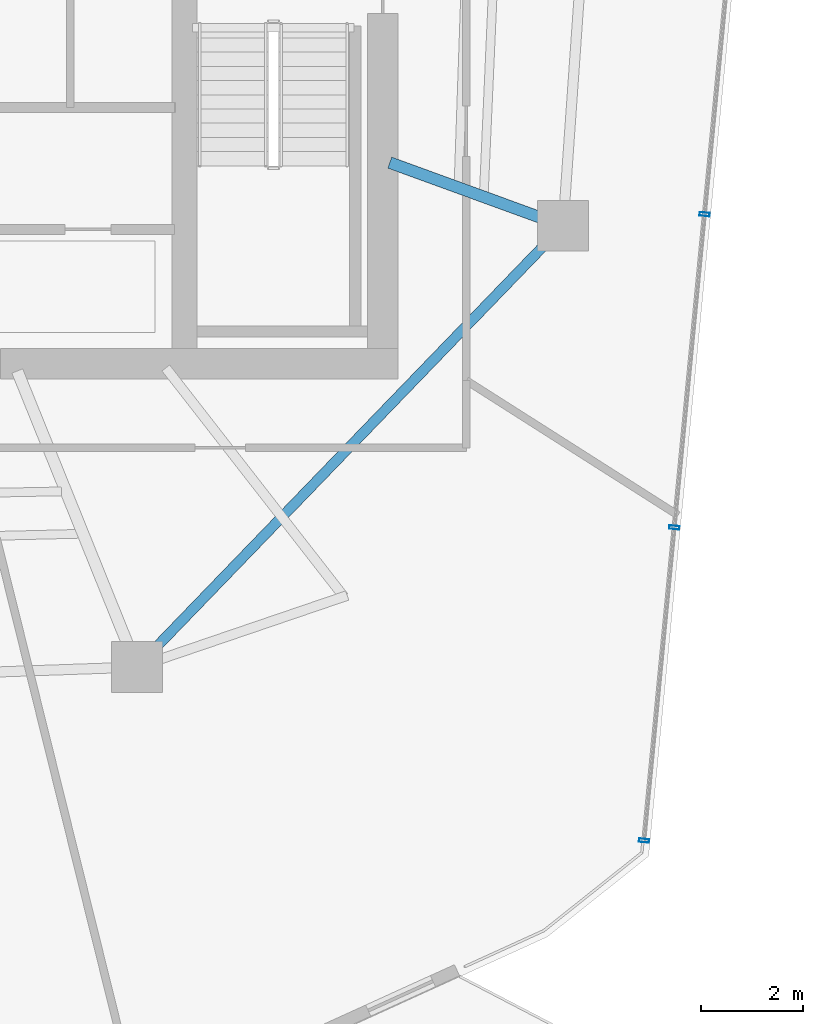
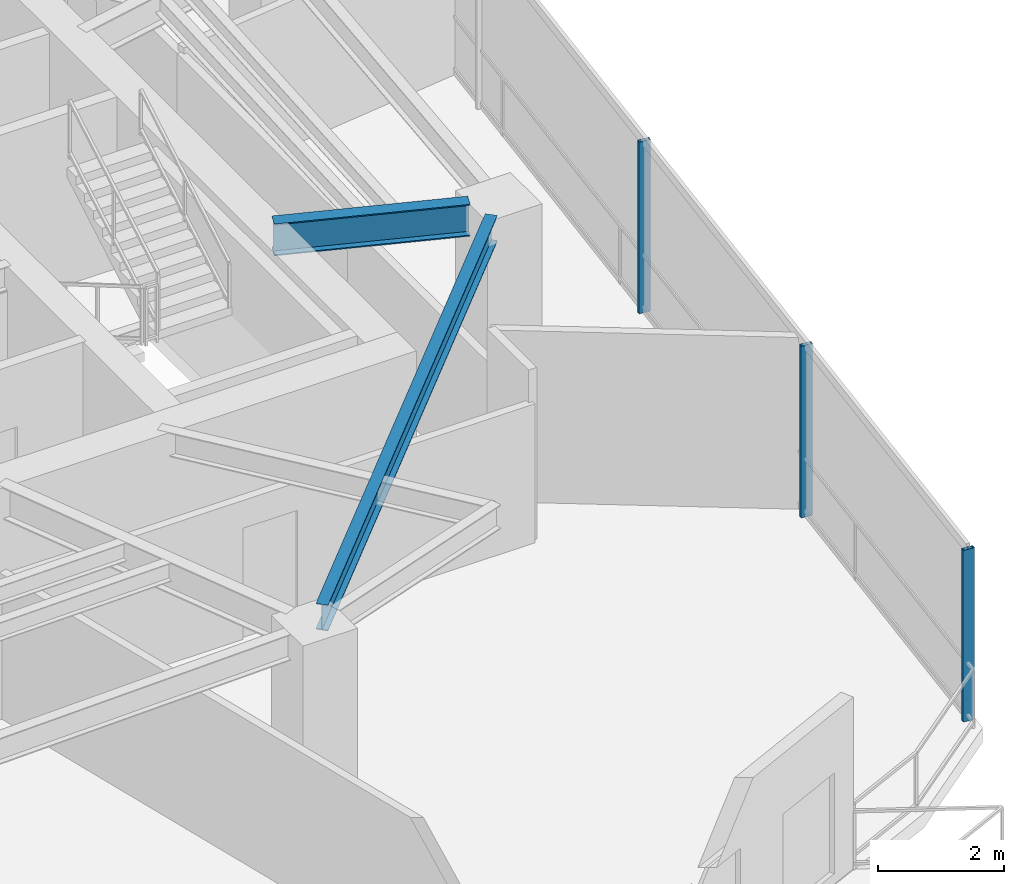
# One storey, part 9 of 21: 3 members, 2 beams, 1 element without a shape of its own.
"""IFC4 building model written with IfcOpenShell, lengths in metres."""

from ifc_helpers import new_model, si_unit, direction, frame, origin, origin_2d, place, context, subcontext, project, spatial, hollow_rectangle, i_section, extrude, material, layer, layer_set, material_profile, profile_set, type_object, element, aggregate, save


model = new_model("IFC4")

# Units and contexts
model_context = context("Model", 3, precision=1e-05, world=origin(), true_north=direction((0.0, 1.0)))
body_context = subcontext(model_context, "Body", "Model", "MODEL_VIEW")
ifc_project = project(units=[si_unit("LENGTHUNIT", "METRE"), si_unit("AREAUNIT", "SQUARE_METRE"), si_unit("VOLUMEUNIT", "CUBIC_METRE"), si_unit("PLANEANGLEUNIT", "RADIAN"), si_unit("MASSUNIT", "GRAM", prefix="KILO")], contexts=[model_context])

# Site, building, storey
site_placement = place(None, origin())
site = spatial("IfcSite", under=ifc_project, at=site_placement, CompositionType="ELEMENT")
building_placement = place(site_placement, origin())
building = spatial("IfcBuilding", under=site, at=building_placement, Name="Qarnah Convention Tower", CompositionType="ELEMENT")
storey_placement = place(building_placement, frame((0.0, 0.0, 158.10009765625)))
storey = spatial("IfcBuildingStorey", under=building, at=storey_placement, Name="L42", CompositionType="ELEMENT", Elevation=158.10009765625)

# Beams
ifc_material_1 = material(Name="Structural steel S355JR", Category="steel")
ifc_material_profile_1 = material_profile(ifc_material_1, i_section(OverallWidth=0.22998046875, OverallDepth=0.617919921875, WebThickness=0.012939453125, FlangeThickness=0.02197265625, at=origin_2d()), Name="W610X140")
ifc_profile_set_1 = profile_set([ifc_material_profile_1], Name="Structural steel S355JR")
beam_type_1 = type_object("IfcBeamType", Name="BM-RAD-W610A", PredefinedType="BEAM", material=ifc_profile_set_1)
beam_1_placement = place(storey_placement, frame((47.740966796875, 22.56396484375, 3.010986328125), z_axis=(0.939610124669, -0.342246714549, 0.0), x_axis=(0.342246714549, 0.939610124669, 0.0)))
element("IfcBeam", 1, at=beam_1_placement, inside=storey, type_object=beam_type_1, Name="L42 beam BM-L42-RAD-09", PredefinedType="BEAM", context=body_context, shape_type="SweptSolid", body=[
    extrude(i_section(OverallWidth=0.22998046875, OverallDepth=0.617919921875, WebThickness=0.012939453125, FlangeThickness=0.02197265625, at=origin_2d()), origin(), (0.0, 0.0, 1.0), 3.15234375),
])
ifc_material_profile_2 = material_profile(ifc_material_1, i_section(OverallWidth=0.199951171875, OverallDepth=0.5, WebThickness=0.010009765625, FlangeThickness=0.01611328125, at=origin_2d()), Name="IPE500")
ifc_profile_set_2 = profile_set([ifc_material_profile_2], Name="Structural steel S355JR")
beam_type_2 = type_object("IfcBeamType", Name="BM-SPN-IPE500", PredefinedType="SPANDREL", material=ifc_profile_set_2)
beam_2_placement = place(storey_placement, frame((43.10302734375, 12.98291015625, 3.06982421875), z_axis=(0.694605503013, 0.719390850084, 0.0), x_axis=(-0.719390850084, 0.694605503013, 0.0)))
element("IfcBeam", 2, at=beam_2_placement, inside=storey, type_object=beam_type_2, Name="L42 spandrel BM-L42-SPN-08", PredefinedType="SPANDREL", context=body_context, shape_type="SweptSolid", body=[
    extrude(i_section(OverallWidth=0.199951171875, OverallDepth=0.5, WebThickness=0.010009765625, FlangeThickness=0.01611328125, at=origin_2d()), origin(), (0.0, 0.0, 1.0), 11.10107421875),
])

# Curtain wall, members
ifc_material_2 = material(Name="Tempered Low-E dark glass", Category="glass")
ifc_layer = layer(ifc_material_2, 0.172119140625)
ifc_layer_set = layer_set([ifc_layer], Name="Tempered Low-E dark glass")
curtain_wall_type = type_object("IfcCurtainWallType", Name="CWS-03", PredefinedType="NOTDEFINED", material=ifc_layer_set)
curtain_wall_placement = place(storey_placement, origin())
curtain_wall = element("IfcCurtainWall", 3, at=curtain_wall_placement, inside=storey, type_object=curtain_wall_type, Name="L42 unitised curtain wall CW-L42-F3", PredefinedType="NOTDEFINED")
ifc_material_3 = material(Name="Black anodised aluminium", Category="aluminium")
ifc_material_profile_3 = material_profile(ifc_material_3, hollow_rectangle(XDim=0.070068359375, YDim=0.199951171875, WallThickness=0.0048828125, at=origin_2d()), Name="MUL-70X200")
ifc_profile_set_3 = profile_set([ifc_material_profile_3], Name="Black anodised aluminium")
member_type = type_object("IfcMemberType", Name="MUL-T3", PredefinedType="MULLION", material=ifc_profile_set_3)
member_1_placement = place(storey_placement, frame((53.939453125, 21.54736328125, 0.0), z_axis=(0.0, 0.0, 1.0), x_axis=(-0.096239589581, -0.995358197534, 0.0)))
member_1 = element("IfcMember", 4, at=member_1_placement, type_object=member_type, Name="CW-L42-F3 mullion 4", PredefinedType="MULLION", context=body_context, shape_type="SweptSolid", body=[
    extrude(hollow_rectangle(XDim=0.070068359375, YDim=0.199951171875, WallThickness=0.0048828125, at=origin_2d()), origin(), (0.0, 0.0, 1.0), 3.31982421875),
])
member_2_placement = place(storey_placement, frame((53.34326171875, 15.381103515625, 0.0), z_axis=(0.0, 0.0, 1.0), x_axis=(-0.096239589581, -0.995358197534, 0.0)))
member_2 = element("IfcMember", 5, at=member_2_placement, type_object=member_type, Name="CW-L42-F3 mullion 5", PredefinedType="MULLION", context=body_context, shape_type="SweptSolid", body=[
    extrude(hollow_rectangle(XDim=0.070068359375, YDim=0.199951171875, WallThickness=0.0048828125, at=origin_2d()), origin(), (0.0, 0.0, 1.0), 3.31982421875),
])
member_3_placement = place(storey_placement, frame((52.7470703125, 9.215087890625, 0.0), z_axis=(0.0, 0.0, 1.0), x_axis=(-0.096239589581, -0.995358197534, 0.0)))
member_3 = element("IfcMember", 6, at=member_3_placement, type_object=member_type, Name="CW-L42-F3 mullion 6", PredefinedType="MULLION", context=body_context, shape_type="SweptSolid", body=[
    extrude(hollow_rectangle(XDim=0.070068359375, YDim=0.199951171875, WallThickness=0.0048828125, at=origin_2d()), origin(), (0.0, 0.0, 1.0), 3.31982421875),
])
aggregate(curtain_wall, [member_1, member_2, member_3])

save(model, "model.ifc")
